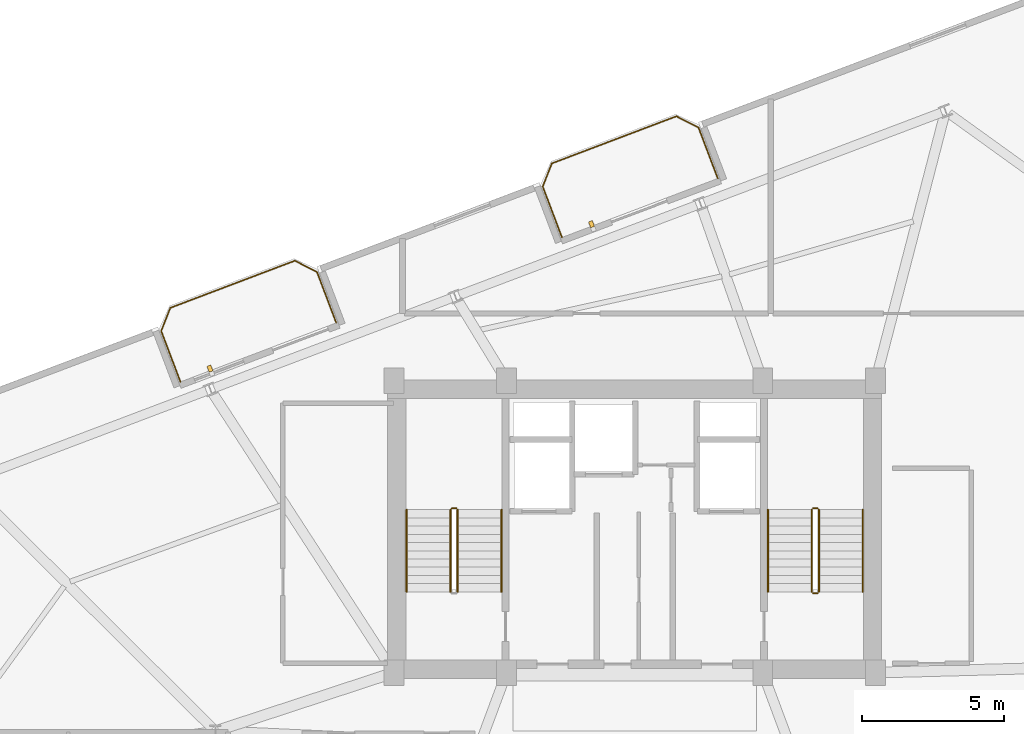
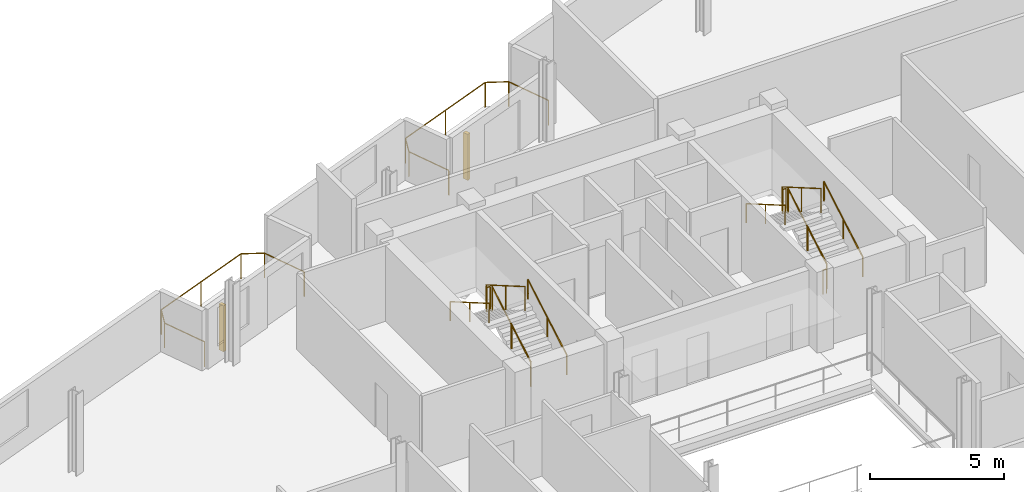
# One storey, part 23 of 23: 13 railings, 2 shading devices.
"""IFC4 building model written with IfcOpenShell, lengths in metres."""

from ifc_helpers import new_model, si_unit, direction, frame, origin, origin_2d, place, context, subcontext, project, spatial, rectangle, circle, extrude, source, transform, mapped, material, type_object, element, save


model = new_model("IFC4")

# Units and contexts
model_context = context("Model", 3, precision=1e-05, world=origin(), true_north=direction((0.0, 1.0)))
body_context = subcontext(model_context, "Body", "Model", "MODEL_VIEW")
ifc_project = project(units=[si_unit("LENGTHUNIT", "METRE"), si_unit("AREAUNIT", "SQUARE_METRE"), si_unit("VOLUMEUNIT", "CUBIC_METRE"), si_unit("PLANEANGLEUNIT", "RADIAN"), si_unit("MASSUNIT", "GRAM", prefix="KILO")], contexts=[model_context])

# Site, building, storey
site_placement = place(None, origin())
site = spatial("IfcSite", under=ifc_project, at=site_placement, CompositionType="ELEMENT")
building_placement = place(site_placement, origin())
building = spatial("IfcBuilding", under=site, at=building_placement, Name="Varnelok Gate Tower", CompositionType="ELEMENT")
storey_placement = place(building_placement, frame((0.0, 0.0, 227.5)))
storey = spatial("IfcBuildingStorey", under=building, at=storey_placement, Name="L58", CompositionType="ELEMENT", Elevation=227.5)

# Railings
ifc_material_1 = material(Name="Low-E Laminated Double Glazing IGU", Category="glass")
railing_type_1 = type_object("IfcRailingType", Name="RL-BALC-1150", PredefinedType="BALUSTRADE", material=ifc_material_1)
railing_1_placement = place(storey_placement, frame((23.166748046875, 39.011474609375, 0.0)))
element("IfcRailing", 1, at=railing_1_placement, inside=storey, type_object=railing_type_1, Name="L58 North Terrace Balustrade 3", PredefinedType="BALUSTRADE", context=body_context, shape_type="SweptSolid", body=[
    extrude(circle(Radius=0.02392578125, at=origin_2d()), frame((0.0, 0.0, 1.1259765625), z_axis=(-0.354159661475, 0.935184973245, 0.0), x_axis=(-0.935184973245, -0.354159661475, 0.0)), (0.0, 0.0, 1.0), 1.919921875),
    extrude(circle(Radius=0.02392578125, at=origin_2d()), frame((-0.679931640625, 1.79541015625, 1.1259765625), z_axis=(0.366495340819, 0.93041988648, 0.0), x_axis=(-0.93041988648, 0.366495340819, 0.0)), (0.0, 0.0, 1.0), 0.8779296875),
    extrude(circle(Radius=0.02392578125, at=origin_2d()), frame((-0.358154296875, 2.6123046875, 1.1259765625), z_axis=(0.935223045203, 0.354059113314, 0.0), x_axis=(-0.354059113314, 0.935223045203, 0.0)), (0.0, 0.0, 1.0), 4.699951171875),
    extrude(circle(Radius=0.02392578125, at=origin_2d()), frame((4.037353515625, 4.2763671875, 1.1259765625), z_axis=(0.89078254773, -0.454429810487, 0.0), x_axis=(0.454429810487, 0.89078254773, 0.0)), (0.0, 0.0, 1.0), 0.8779296875),
    extrude(circle(Radius=0.02392578125, at=origin_2d()), frame((4.8193359375, 3.87744140625, 1.1259765625), z_axis=(0.354006333352, -0.935243025073, 0.0), x_axis=(0.935243025073, 0.354006333352, 0.0)), (0.0, 0.0, 1.0), 1.919921875),
    extrude(circle(Radius=0.02099609375, at=origin_2d()), origin(), (0.0, 0.0, 1.0), 1.101806640625),
    extrude(circle(Radius=0.02099609375, at=origin_2d()), frame((-0.679931640625, 1.79541015625, 0.0)), (0.0, 0.0, 1.0), 1.101806640625),
    extrude(circle(Radius=0.02099609375, at=origin_2d()), frame((-0.358154296875, 2.6123046875, 0.0)), (0.0, 0.0, 1.0), 1.101806640625),
    extrude(circle(Radius=0.02099609375, at=origin_2d()), frame((1.839599609375, 3.4443359375, 0.0)), (0.0, 0.0, 1.0), 1.101806640625),
    extrude(circle(Radius=0.02099609375, at=origin_2d()), frame((4.037353515625, 4.2763671875, 0.0)), (0.0, 0.0, 1.0), 1.101806640625),
    extrude(circle(Radius=0.02099609375, at=origin_2d()), frame((4.8193359375, 3.87744140625, 0.0)), (0.0, 0.0, 1.0), 1.101806640625),
    extrude(circle(Radius=0.02099609375, at=origin_2d()), frame((5.4990234375, 2.081787109375, 0.0)), (0.0, 0.0, 1.0), 1.101806640625),
])
railing_2_placement = place(storey_placement, frame((36.6337890625, 44.10986328125, 0.0)))
element("IfcRailing", 2, at=railing_2_placement, inside=storey, type_object=railing_type_1, Name="L58 North Terrace Balustrade 4", PredefinedType="BALUSTRADE", context=body_context, shape_type="SweptSolid", body=[
    extrude(circle(Radius=0.02392578125, at=origin_2d()), frame((0.0, 0.0, 1.1259765625), z_axis=(-0.354006333352, 0.935243025073, 0.0), x_axis=(-0.935243025073, -0.354006333352, 0.0)), (0.0, 0.0, 1.0), 1.919921875),
    extrude(circle(Radius=0.02392578125, at=origin_2d()), frame((-0.6796875, 1.795654296875, 1.1259765625), z_axis=(0.366254584666, 0.930514685113, 0.0), x_axis=(-0.930514685113, 0.366254584666, 0.0)), (0.0, 0.0, 1.0), 0.8779296875),
    extrude(circle(Radius=0.02392578125, at=origin_2d()), frame((-0.358154296875, 2.612548828125, 1.1259765625), z_axis=(0.935229556479, 0.354041913744, 0.0), x_axis=(-0.354041913744, 0.935229556479, 0.0)), (0.0, 0.0, 1.0), 4.7001953125),
    extrude(circle(Radius=0.02392578125, at=origin_2d()), frame((4.03759765625, 4.276611328125, 1.1259765625), z_axis=(0.890612455555, -0.454763074589, 0.0), x_axis=(0.454763074589, 0.890612455555, 0.0)), (0.0, 0.0, 1.0), 0.877685546875),
    extrude(circle(Radius=0.02392578125, at=origin_2d()), frame((4.8193359375, 3.87744140625, 1.1259765625), z_axis=(0.354159661475, -0.935184973245, 0.0), x_axis=(0.935184973245, 0.354159661475, 0.0)), (0.0, 0.0, 1.0), 1.919921875),
    extrude(circle(Radius=0.02099609375, at=origin_2d()), origin(), (0.0, 0.0, 1.0), 1.101806640625),
    extrude(circle(Radius=0.02099609375, at=origin_2d()), frame((-0.6796875, 1.795654296875, 0.0)), (0.0, 0.0, 1.0), 1.101806640625),
    extrude(circle(Radius=0.02099609375, at=origin_2d()), frame((-0.358154296875, 2.612548828125, 0.0)), (0.0, 0.0, 1.0), 1.101806640625),
    extrude(circle(Radius=0.02099609375, at=origin_2d()), frame((1.83984375, 3.444580078125, 0.0)), (0.0, 0.0, 1.0), 1.101806640625),
    extrude(circle(Radius=0.02099609375, at=origin_2d()), frame((4.03759765625, 4.276611328125, 0.0)), (0.0, 0.0, 1.0), 1.101806640625),
    extrude(circle(Radius=0.02099609375, at=origin_2d()), frame((4.8193359375, 3.87744140625, 0.0)), (0.0, 0.0, 1.0), 1.101806640625),
    extrude(circle(Radius=0.02099609375, at=origin_2d()), frame((5.499267578125, 2.08203125, 0.0)), (0.0, 0.0, 1.0), 1.101806640625),
])
ifc_material_2 = material(Name="Brushed Stainless Steel AISI 316", Category="steel")
railing_type_2 = type_object("IfcRailingType", Name="RL-HANDRAIL-900", PredefinedType="HANDRAIL", material=ifc_material_2)
railing_3_placement = place(storey_placement, frame((34.5, 31.60009765625, 0.168212890625)))
element("IfcRailing", 3, at=railing_3_placement, inside=storey, type_object=railing_type_2, Name="L58 ST-1 stair handrail 1", PredefinedType="HANDRAIL", context=body_context, shape_type="SweptSolid", body=[
    extrude(circle(Radius=0.02392578125, at=origin_2d()), frame((0.0, 0.0, 0.8759765625), z_axis=(0.0, 0.865038774852, 0.501705010941), x_axis=(-1.0, 0.0, 0.0)), (0.0, 0.0, 1.0), 3.352294921875),
    extrude(circle(Radius=0.02099609375, at=origin_2d()), origin(), (0.0, 0.0, 1.0), 0.851806640625),
    extrude(circle(Radius=0.02099609375, at=origin_2d()), frame((0.0, 1.449951171875, 0.8408203125)), (0.0, 0.0, 1.0), 0.851806640625),
    extrude(circle(Radius=0.02099609375, at=origin_2d()), frame((0.0, 2.89990234375, 1.681884765625)), (0.0, 0.0, 1.0), 0.851806640625),
])
railing_4_placement = place(storey_placement, frame((31.14990234375, 34.5, 2.01806640625)))
element("IfcRailing", 4, at=railing_4_placement, inside=storey, type_object=railing_type_2, Name="L58 ST-1 stair handrail 2", PredefinedType="HANDRAIL", context=body_context, shape_type="SweptSolid", body=[
    extrude(circle(Radius=0.02392578125, at=origin_2d()), frame((0.0, 0.0, 0.8759765625), z_axis=(0.0, -0.865038774852, 0.501705010941), x_axis=(1.0, 0.0, 0.0)), (0.0, 0.0, 1.0), 3.352294921875),
    extrude(circle(Radius=0.02099609375, at=origin_2d()), origin(), (0.0, 0.0, 1.0), 0.851806640625),
    extrude(circle(Radius=0.02099609375, at=origin_2d()), frame((0.0, -1.449951171875, 0.8408203125)), (0.0, 0.0, 1.0), 0.851806640625),
    extrude(circle(Radius=0.02099609375, at=origin_2d()), frame((0.0, -2.89990234375, 1.681884765625)), (0.0, 0.0, 1.0), 0.851806640625),
])
railing_5_placement = place(storey_placement, frame((47.25, 31.60009765625, 0.168212890625)))
element("IfcRailing", 5, at=railing_5_placement, inside=storey, type_object=railing_type_2, Name="L58 ST-2 stair handrail 1", PredefinedType="HANDRAIL", context=body_context, shape_type="SweptSolid", body=[
    extrude(circle(Radius=0.02392578125, at=origin_2d()), frame((0.0, 0.0, 0.8759765625), z_axis=(0.0, 0.865038774852, 0.501705010941), x_axis=(-1.0, 0.0, 0.0)), (0.0, 0.0, 1.0), 3.352294921875),
    extrude(circle(Radius=0.02099609375, at=origin_2d()), origin(), (0.0, 0.0, 1.0), 0.851806640625),
    extrude(circle(Radius=0.02099609375, at=origin_2d()), frame((0.0, 1.449951171875, 0.8408203125)), (0.0, 0.0, 1.0), 0.851806640625),
    extrude(circle(Radius=0.02099609375, at=origin_2d()), frame((0.0, 2.89990234375, 1.681884765625)), (0.0, 0.0, 1.0), 0.851806640625),
])
railing_6_placement = place(storey_placement, frame((43.89990234375, 34.5, 2.01806640625)))
element("IfcRailing", 6, at=railing_6_placement, inside=storey, type_object=railing_type_2, Name="L58 ST-2 stair handrail 2", PredefinedType="HANDRAIL", context=body_context, shape_type="SweptSolid", body=[
    extrude(circle(Radius=0.02392578125, at=origin_2d()), frame((0.0, 0.0, 0.8759765625), z_axis=(0.0, -0.865038774852, 0.501705010941), x_axis=(1.0, 0.0, 0.0)), (0.0, 0.0, 1.0), 3.352294921875),
    extrude(circle(Radius=0.02099609375, at=origin_2d()), origin(), (0.0, 0.0, 1.0), 0.851806640625),
    extrude(circle(Radius=0.02099609375, at=origin_2d()), frame((0.0, -1.449951171875, 0.8408203125)), (0.0, 0.0, 1.0), 0.851806640625),
    extrude(circle(Radius=0.02099609375, at=origin_2d()), frame((0.0, -2.89990234375, 1.681884765625)), (0.0, 0.0, 1.0), 0.851806640625),
])
ifc_material_3 = material(Name="Galvanized Steel Grade S350GD", Category="steel")
railing_type_3 = type_object("IfcRailingType", Name="RL-STAIR-GUARD1120", PredefinedType="GUARDRAIL", material=ifc_material_3)
railing_7_placement = place(storey_placement, frame((32.949951171875, 31.60009765625, 0.168212890625)))
element("IfcRailing", 7, at=railing_7_placement, inside=storey, type_object=railing_type_3, Name="L58 ST-1 stair guard 1", PredefinedType="GUARDRAIL", context=body_context, shape_type="SweptSolid", body=[
    extrude(circle(Radius=0.02392578125, at=origin_2d()), frame((0.0, 0.0, 1.09619140625), z_axis=(0.0, 0.865038774852, 0.501705010941), x_axis=(-1.0, 0.0, 0.0)), (0.0, 0.0, 1.0), 3.352294921875),
    extrude(circle(Radius=0.02099609375, at=origin_2d()), origin(), (0.0, 0.0, 1.0), 1.072021484375),
    extrude(circle(Radius=0.02099609375, at=origin_2d()), frame((0.0, 1.449951171875, 0.8408203125)), (0.0, 0.0, 1.0), 1.072021484375),
    extrude(circle(Radius=0.02099609375, at=origin_2d()), frame((0.0, 2.89990234375, 1.681884765625)), (0.0, 0.0, 1.0), 1.072021484375),
])
railing_8_placement = place(storey_placement, frame((32.89990234375, 34.550048828125, 1.85009765625)))
element("IfcRailing", 8, at=railing_8_placement, inside=storey, type_object=railing_type_3, Name="L58 ST-1 stair guard 2", PredefinedType="GUARDRAIL", context=body_context, shape_type="SweptSolid", body=[
    extrude(circle(Radius=0.02392578125, at=origin_2d()), frame((0.0, 0.0, 1.09619140625), z_axis=(-1.0, 0.0, 0.0), x_axis=(0.0, -1.0, 0.0)), (0.0, 0.0, 1.0), 0.14990234375),
    extrude(circle(Radius=0.02099609375, at=origin_2d()), origin(), (0.0, 0.0, 1.0), 1.072021484375),
    extrude(circle(Radius=0.02099609375, at=origin_2d()), frame((-0.14990234375, 0.0, 0.0)), (0.0, 0.0, 1.0), 1.072021484375),
])
railing_9_placement = place(storey_placement, frame((32.699951171875, 34.5, 2.01806640625)))
element("IfcRailing", 9, at=railing_9_placement, inside=storey, type_object=railing_type_3, Name="L58 ST-1 stair guard 3", PredefinedType="GUARDRAIL", context=body_context, shape_type="SweptSolid", body=[
    extrude(circle(Radius=0.02392578125, at=origin_2d()), frame((0.0, 0.0, 1.09619140625), z_axis=(0.0, -0.865038774852, 0.501705010941), x_axis=(1.0, 0.0, 0.0)), (0.0, 0.0, 1.0), 3.352294921875),
    extrude(circle(Radius=0.02099609375, at=origin_2d()), origin(), (0.0, 0.0, 1.0), 1.072021484375),
    extrude(circle(Radius=0.02099609375, at=origin_2d()), frame((0.0, -1.449951171875, 0.8408203125)), (0.0, 0.0, 1.0), 1.072021484375),
    extrude(circle(Radius=0.02099609375, at=origin_2d()), frame((0.0, -2.89990234375, 1.681884765625)), (0.0, 0.0, 1.0), 1.072021484375),
])
railing_10_placement = place(storey_placement, frame((45.699951171875, 31.60009765625, 0.168212890625)))
element("IfcRailing", 10, at=railing_10_placement, inside=storey, type_object=railing_type_3, Name="L58 ST-2 stair guard 1", PredefinedType="GUARDRAIL", context=body_context, shape_type="SweptSolid", body=[
    extrude(circle(Radius=0.02392578125, at=origin_2d()), frame((0.0, 0.0, 1.09619140625), z_axis=(0.0, 0.865038774852, 0.501705010941), x_axis=(-1.0, 0.0, 0.0)), (0.0, 0.0, 1.0), 3.352294921875),
    extrude(circle(Radius=0.02099609375, at=origin_2d()), origin(), (0.0, 0.0, 1.0), 1.072021484375),
    extrude(circle(Radius=0.02099609375, at=origin_2d()), frame((0.0, 1.449951171875, 0.8408203125)), (0.0, 0.0, 1.0), 1.072021484375),
    extrude(circle(Radius=0.02099609375, at=origin_2d()), frame((0.0, 2.89990234375, 1.681884765625)), (0.0, 0.0, 1.0), 1.072021484375),
])
railing_11_placement = place(storey_placement, frame((45.64990234375, 34.550048828125, 1.85009765625)))
element("IfcRailing", 11, at=railing_11_placement, inside=storey, type_object=railing_type_3, Name="L58 ST-2 stair guard 2", PredefinedType="GUARDRAIL", context=body_context, shape_type="SweptSolid", body=[
    extrude(circle(Radius=0.02392578125, at=origin_2d()), frame((0.0, 0.0, 1.09619140625), z_axis=(-1.0, 0.0, 0.0), x_axis=(0.0, -1.0, 0.0)), (0.0, 0.0, 1.0), 0.14990234375),
    extrude(circle(Radius=0.02099609375, at=origin_2d()), origin(), (0.0, 0.0, 1.0), 1.072021484375),
    extrude(circle(Radius=0.02099609375, at=origin_2d()), frame((-0.14990234375, 0.0, 0.0)), (0.0, 0.0, 1.0), 1.072021484375),
])
railing_12_placement = place(storey_placement, frame((45.449951171875, 34.5, 2.01806640625)))
element("IfcRailing", 12, at=railing_12_placement, inside=storey, type_object=railing_type_3, Name="L58 ST-2 stair guard 3", PredefinedType="GUARDRAIL", context=body_context, shape_type="SweptSolid", body=[
    extrude(circle(Radius=0.02392578125, at=origin_2d()), frame((0.0, 0.0, 1.09619140625), z_axis=(0.0, -0.865038774852, 0.501705010941), x_axis=(1.0, 0.0, 0.0)), (0.0, 0.0, 1.0), 3.352294921875),
    extrude(circle(Radius=0.02099609375, at=origin_2d()), origin(), (0.0, 0.0, 1.0), 1.072021484375),
    extrude(circle(Radius=0.02099609375, at=origin_2d()), frame((0.0, -1.449951171875, 0.8408203125)), (0.0, 0.0, 1.0), 1.072021484375),
    extrude(circle(Radius=0.02099609375, at=origin_2d()), frame((0.0, -2.89990234375, 1.681884765625)), (0.0, 0.0, 1.0), 1.072021484375),
])
railing_13_placement = place(storey_placement, frame((45.64990234375, 31.550048828125, 0.0)))
element("IfcRailing", 13, at=railing_13_placement, inside=storey, type_object=railing_type_3, Name="L58 ST-2 stair guard 4", PredefinedType="GUARDRAIL", context=body_context, shape_type="SweptSolid", body=[
    extrude(circle(Radius=0.02392578125, at=origin_2d()), frame((0.0, 0.0, 1.09619140625), z_axis=(-1.0, 0.0, 0.0), x_axis=(0.0, -1.0, 0.0)), (0.0, 0.0, 1.0), 0.14990234375),
    extrude(circle(Radius=0.02099609375, at=origin_2d()), origin(), (0.0, 0.0, 1.0), 1.072021484375),
    extrude(circle(Radius=0.02099609375, at=origin_2d()), frame((-0.14990234375, 0.0, 0.0)), (0.0, 0.0, 1.0), 1.072021484375),
])

# Shading devices
ifc_material_4 = material(Name="Glazed Architectural Terracotta Ceramic", Category="masonry")
shading_device_type = type_object("IfcShadingDeviceType", Name="SHD-TERRA-BAGUETTE", PredefinedType="USERDEFINED", material=ifc_material_4)
shared_shape = source(origin(), body_context, "Body", "SweptSolid", [
    extrude(rectangle(XDim=0.139892578125, YDim=0.219970703125, at=origin_2d()), origin(), (0.0, 0.0, 1.0), 2.10009765625),
])
for number, where, z_axis, x_axis, name in (
    (14, (24.2080078125, 39.48046875, 0.099853515625), (0.0, 0.0, 1.0), (0.935221751401, 0.354062530786, 0.0), "L58 Terracotta Ceramic Baguette Sunscreen 3.1"),
    (15, (37.67529296875, 44.5791015625, 0.099853515625), (0.0, 0.0, 1.0), (0.935221751401, 0.354062530786, 0.0), "L58 Terracotta Ceramic Baguette Sunscreen 4.1"),
):
    element("IfcShadingDevice", number, at=place(storey_placement, frame(where, z_axis=z_axis, x_axis=x_axis)), inside=storey, type_object=shading_device_type, Name=name, ObjectType="BAGUETTE", PredefinedType="USERDEFINED", context=body_context, shape_type="MappedRepresentation", body=[
        mapped(shared_shape, transform((0.0, 0.0, 0.0), scale=1.0)),
    ])

save(model, "model.ifc")
